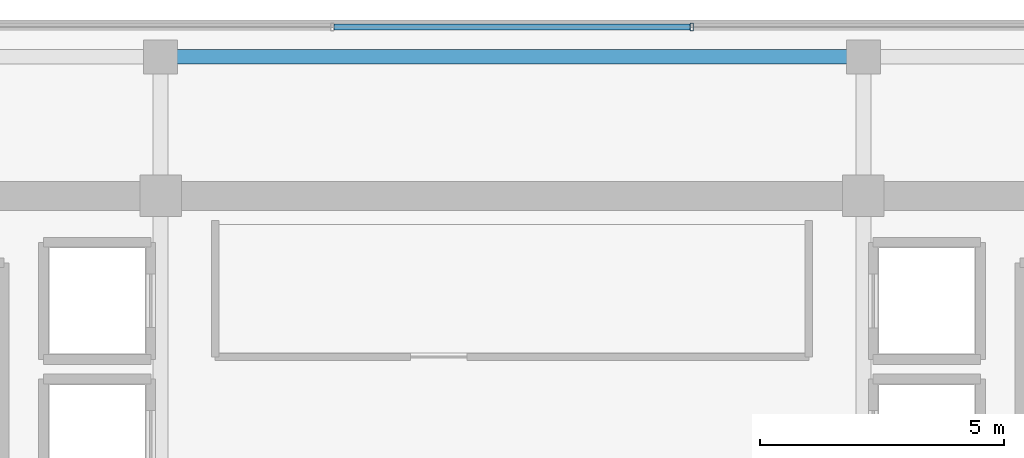
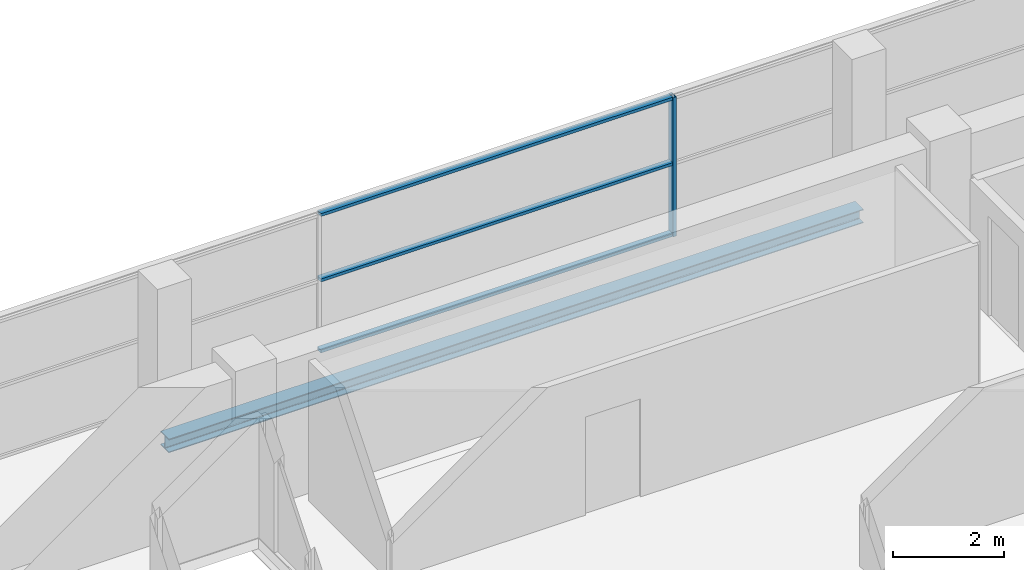
# One storey, part 19 of 29: 4 members, 1 beam, 1 element without a shape of its own.
"""IFC4 building model written with IfcOpenShell, lengths in metres."""

from ifc_helpers import new_model, si_unit, direction, frame, origin, origin_2d, place, context, subcontext, project, spatial, hollow_rectangle, i_section, extrude, source, transform, mapped, material, layer, layer_set, material_profile, profile_set, type_object, element, aggregate, save


model = new_model("IFC4")

# Units and contexts
model_context = context("Model", 3, precision=1e-05, world=origin(), true_north=direction((0.0, 1.0)))
body_context = subcontext(model_context, "Body", "Model", "MODEL_VIEW")
ifc_project = project(units=[si_unit("LENGTHUNIT", "METRE"), si_unit("AREAUNIT", "SQUARE_METRE"), si_unit("VOLUMEUNIT", "CUBIC_METRE"), si_unit("PLANEANGLEUNIT", "RADIAN"), si_unit("MASSUNIT", "GRAM", prefix="KILO")], contexts=[model_context])

# Site, building, storey
site_placement = place(None, origin())
site = spatial("IfcSite", under=ifc_project, at=site_placement, CompositionType="ELEMENT")
building_placement = place(site_placement, origin())
building = spatial("IfcBuilding", under=site, at=building_placement, Name="Zarnakvel Exchange Tower", CompositionType="ELEMENT")
storey_placement = place(building_placement, frame((0.0, 0.0, 265.0)))
storey = spatial("IfcBuildingStorey", under=building, at=storey_placement, Name="L75", CompositionType="ELEMENT", Elevation=265.0)

# Beam
ifc_material_1 = material(Name="Steel S355", Category="steel")
ifc_material_profile_1 = material_profile(ifc_material_1, i_section(OverallWidth=0.300048828125, OverallDepth=0.300048828125, WebThickness=0.010986328125, FlangeThickness=0.01904296875, FilletRadius=0.027099609375, at=origin_2d()))
ifc_profile_set_1 = profile_set([ifc_material_profile_1], Name="Steel S355")
beam_type = type_object("IfcBeamType", Name="SP-03", PredefinedType="SPANDREL", material=ifc_profile_set_1)
beam_placement = place(storey_placement, frame((-7.199951171875, 16.35009765625, -0.375), z_axis=(1.0, 0.0, 0.0), x_axis=(0.0, 1.0, 0.0)))
element("IfcBeam", 1, at=beam_placement, inside=storey, type_object=beam_type, Name="L75 Tower E-W Frame Beam", PredefinedType="SPANDREL", context=body_context, shape_type="SweptSolid", body=[
    extrude(i_section(OverallWidth=0.300048828125, OverallDepth=0.300048828125, WebThickness=0.010986328125, FlangeThickness=0.01904296875, FilletRadius=0.027099609375, at=origin_2d()), origin(), (0.0, 0.0, 1.0), 14.39990234375),
])

# Curtain wall, members
ifc_material_2 = material(Name="Architectural Bronze Anodised Aluminium", Category="aluminium")
ifc_layer = layer(ifc_material_2, 0.159912109375)
ifc_layer_set = layer_set([ifc_layer], Name="Architectural Bronze Anodised Aluminium")
curtain_wall_type = type_object("IfcCurtainWallType", Name="CW-06", PredefinedType="NOTDEFINED", material=ifc_layer_set)
curtain_wall_placement = place(storey_placement, origin())
curtain_wall = element("IfcCurtainWall", 2, at=curtain_wall_placement, inside=storey, type_object=curtain_wall_type, Name="L75 Curtain Wall CW-L75-N1 (CW-06)", PredefinedType="NOTDEFINED")
ifc_material_profile_2 = material_profile(ifc_material_2, hollow_rectangle(XDim=0.1298828125, YDim=0.06494140625, WallThickness=0.00390625, at=origin_2d()))
ifc_profile_set_2 = profile_set([ifc_material_profile_2], Name="Architectural Bronze Anodised Aluminium")
member_type_1 = type_object("IfcMemberType", Name="CWT-06", PredefinedType="USERDEFINED", material=ifc_profile_set_2)
shared_shape_1 = source(origin(), body_context, "Body", "SweptSolid", [
    extrude(hollow_rectangle(XDim=0.1298828125, YDim=0.06494140625, WallThickness=0.00390625, at=origin_2d()), origin(), (0.0, 0.0, 1.0), 7.294921875),
])
member_1_placement = place(storey_placement, frame((-3.6474609375, 16.9599609375, 0.032470703125), z_axis=(1.0, 0.0, 0.0), x_axis=(0.0, 1.0, 0.0)))
member_1 = element("IfcMember", 3, at=member_1_placement, type_object=member_type_1, Name="CW-06 transom 3.1", ObjectType="TRANSOM", PredefinedType="USERDEFINED", context=body_context, shape_type="MappedRepresentation", body=[
    mapped(shared_shape_1, transform((0.0, 0.0, 0.0), x_axis=(1.0, 0.0, 0.0), y_axis=(0.0, 1.0, 0.0), z_axis=(0.0, 0.0, 1.0), scale=1.0)),
])
member_2_placement = place(storey_placement, frame((-3.6474609375, 16.9599609375, 1.588623046875), z_axis=(1.0, 0.0, 0.0), x_axis=(0.0, 1.0, 0.0)))
member_2 = element("IfcMember", 4, at=member_2_placement, type_object=member_type_1, Name="CW-06 transom 3.2", ObjectType="TRANSOM", PredefinedType="USERDEFINED", context=body_context, shape_type="MappedRepresentation", body=[
    mapped(shared_shape_1, transform((0.0, 0.0, 0.0), x_axis=(1.0, 0.0, 0.0), y_axis=(0.0, 1.0, 0.0), z_axis=(0.0, 0.0, 1.0), scale=1.0)),
])
member_3_placement = place(storey_placement, frame((-3.6474609375, 16.9599609375, 3.0224609375), z_axis=(1.0, 0.0, 0.0), x_axis=(0.0, 1.0, 0.0)))
member_3 = element("IfcMember", 5, at=member_3_placement, type_object=member_type_1, Name="CW-06 transom 3.3", ObjectType="TRANSOM", PredefinedType="USERDEFINED", context=body_context, shape_type="MappedRepresentation", body=[
    mapped(shared_shape_1, transform((0.0, 0.0, 0.0), x_axis=(1.0, 0.0, 0.0), y_axis=(0.0, 1.0, 0.0), z_axis=(0.0, 0.0, 1.0), scale=1.0)),
])
ifc_material_profile_3 = material_profile(ifc_material_2, hollow_rectangle(XDim=0.159912109375, YDim=0.06494140625, WallThickness=0.00390625, at=origin_2d()))
ifc_profile_set_3 = profile_set([ifc_material_profile_3], Name="Architectural Bronze Anodised Aluminium")
member_type_2 = type_object("IfcMemberType", Name="CWM-06", PredefinedType="MULLION", material=ifc_profile_set_3)
shared_shape_2 = source(origin(), body_context, "Body", "SweptSolid", [
    extrude(hollow_rectangle(XDim=0.159912109375, YDim=0.06494140625, WallThickness=0.00390625, at=origin_2d()), origin(), (0.0, 0.0, 1.0), 3.054931640625),
])
member_4_placement = place(storey_placement, frame((3.679931640625, 16.9599609375, 0.0), z_axis=(0.0, 0.0, 1.0), x_axis=(0.0, 1.0, 0.0)))
member_4 = element("IfcMember", 6, at=member_4_placement, type_object=member_type_2, Name="CW-06 mullion 4", PredefinedType="MULLION", context=body_context, shape_type="MappedRepresentation", body=[
    mapped(shared_shape_2, transform((0.0, 0.0, 0.0), x_axis=(1.0, 0.0, 0.0), y_axis=(0.0, 1.0, 0.0), z_axis=(0.0, 0.0, 1.0), scale=1.0)),
])
aggregate(curtain_wall, [member_4, member_1, member_2, member_3])

save(model, "model.ifc")
